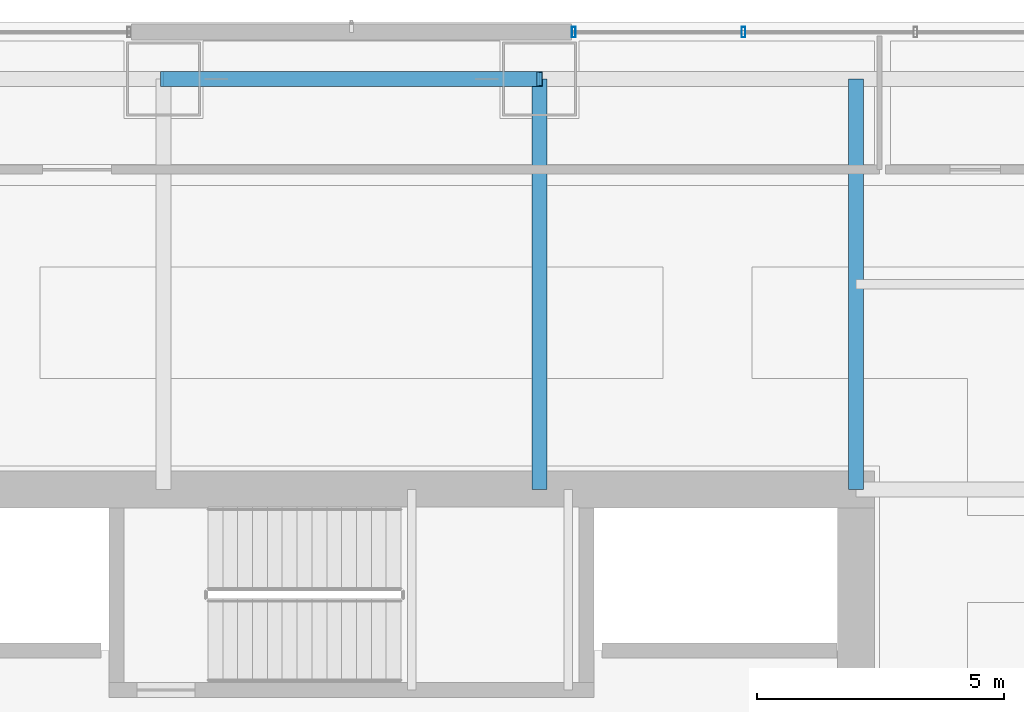
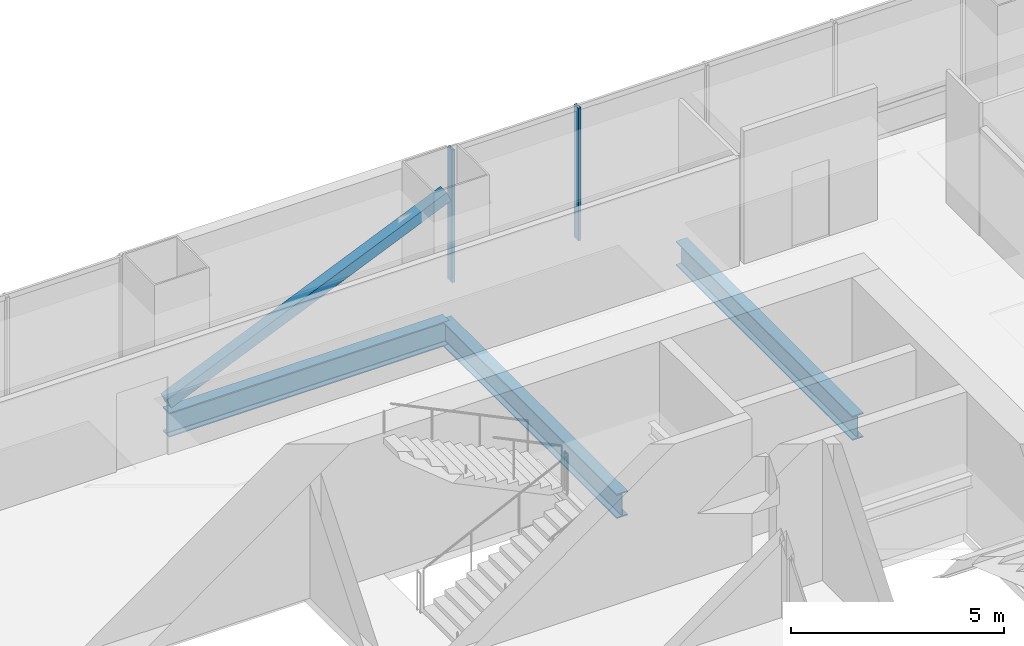
# One storey, part 19 of 40: 3 beams, 3 members, 1 element without a shape of its own.
"""IFC4 building model written with IfcOpenShell, lengths in metres."""

from ifc_helpers import new_model, si_unit, direction, frame, origin, origin_2d, place, context, subcontext, project, spatial, hollow_rectangle, i_section, extrude, material, material_profile, profile_set, type_object, element, aggregate, save


model = new_model("IFC4")

# Units and contexts
model_context = context("Model", 3, precision=1e-05, world=origin(), true_north=direction((0.0, 1.0)))
body_context = subcontext(model_context, "Body", "Model", "MODEL_VIEW")
ifc_project = project(units=[si_unit("LENGTHUNIT", "METRE"), si_unit("AREAUNIT", "SQUARE_METRE"), si_unit("VOLUMEUNIT", "CUBIC_METRE"), si_unit("PLANEANGLEUNIT", "RADIAN"), si_unit("MASSUNIT", "GRAM", prefix="KILO")], contexts=[model_context])

# Site, building, storey
site_placement = place(None, origin())
site = spatial("IfcSite", under=ifc_project, at=site_placement, CompositionType="ELEMENT")
building_placement = place(site_placement, origin())
building = spatial("IfcBuilding", under=site, at=building_placement, Name="Punatoya Terracotta Tower", CompositionType="ELEMENT")
storey_placement = place(building_placement, frame((0.0, 0.0, 76.800048828125)))
storey = spatial("IfcBuildingStorey", under=building, at=storey_placement, Name="L17", CompositionType="ELEMENT", Elevation=76.800048828125)

# Beams
ifc_material_1 = material(Name="Steel S355", Category="steel")
ifc_material_profile_1 = material_profile(ifc_material_1, i_section(OverallWidth=0.300048828125, OverallDepth=0.699951171875, WebThickness=0.01708984375, FlangeThickness=0.031982421875, FilletRadius=0.01806640625, at=origin_2d()))
ifc_profile_set_1 = profile_set([ifc_material_profile_1], Name="Steel S355")
beam_type = type_object("IfcBeamType", Name="BM-PRI-700", PredefinedType="BEAM", material=ifc_profile_set_1)
beam_placement = place(storey_placement, frame((-3.800048828125, 17.5, -0.590087890625), z_axis=(1.0, 0.0, 0.0), x_axis=(0.0, 1.0, 0.0)))
element("IfcBeam", 1, at=beam_placement, inside=storey, type_object=beam_type, Name="BM-L17-RG-N2", PredefinedType="BEAM", context=body_context, shape_type="SweptSolid", body=[
    extrude(i_section(OverallWidth=0.300048828125, OverallDepth=0.699951171875, WebThickness=0.01708984375, FlangeThickness=0.031982421875, FilletRadius=0.01806640625, at=origin_2d()), origin(), (0.0, 0.0, 1.0), 7.60009765625),
])
for number, where, z_axis, x_axis, name in (
    (2, (3.800048828125, 9.199951171875, -0.590087890625), (0.0, 1.0, 0.0), (-1.0, 0.0, 0.0), "BM-L17-PR-N3"),
    (3, (10.199951171875, 9.199951171875, -0.590087890625), (0.0, 1.0, 0.0), (-1.0, 0.0, 0.0), "BM-L17-PR-N4"),
):
    element("IfcBeam", number, at=place(storey_placement, frame(where, z_axis=z_axis, x_axis=x_axis)), inside=storey, type_object=beam_type, Name=name, PredefinedType="BEAM", context=body_context, shape_type="SweptSolid", body=[
        extrude(i_section(OverallWidth=0.300048828125, OverallDepth=0.699951171875, WebThickness=0.01708984375, FlangeThickness=0.031982421875, FilletRadius=0.01806640625, at=origin_2d()), origin(), (0.0, 0.0, 1.0), 8.300048828125),
    ])

# Curtain wall, members
ifc_material_2 = material(Name="Aluminium 6063-T6 + Double Low-E Glass", Category="aluminium")
curtain_wall_type = type_object("IfcCurtainWallType", Name="CW-M1", PredefinedType="NOTDEFINED", material=ifc_material_2)
curtain_wall_placement = place(storey_placement, origin())
curtain_wall = element("IfcCurtainWall", 4, at=curtain_wall_placement, inside=storey, type_object=curtain_wall_type, Name="L17 Curtain Wall CW-L17-N09-1", PredefinedType="NOTDEFINED")
ifc_material_3 = material(Name="Aluminium 6063-T6", Category="aluminium")
ifc_material_profile_2 = material_profile(ifc_material_3, hollow_rectangle(XDim=0.074951171875, YDim=0.2099609375, WallThickness=0.00439453125, at=origin_2d()))
ifc_profile_set_2 = profile_set([ifc_material_profile_2], Name="Aluminium 6063-T6")
member_type_1 = type_object("IfcMemberType", Name="CW-MUL-M1", PredefinedType="MULLION", material=ifc_profile_set_2)
member_1_placement = place(storey_placement, frame((7.927490234375, 18.449951171875, 0.0), z_axis=(0.0, 0.0, 1.0), x_axis=(1.0, 0.0, 0.0)))
member_1 = element("IfcMember", 5, at=member_1_placement, type_object=member_type_1, Name="CW-L17-N09-1 Mullion 04", PredefinedType="MULLION", context=body_context, shape_type="SweptSolid", body=[
    extrude(hollow_rectangle(XDim=0.074951171875, YDim=0.2099609375, WallThickness=0.00439453125, at=origin_2d()), origin(), (0.0, 0.0, 1.0), 3.81005859375),
])
member_2_placement = place(storey_placement, frame((4.4951171875, 18.449951171875, 0.0), z_axis=(0.0, 0.0, 1.0), x_axis=(1.0, 0.0, 0.0)))
member_2 = element("IfcMember", 6, at=member_2_placement, type_object=member_type_1, Name="CW-L17-N09-1 Mullion 05", PredefinedType="MULLION", context=body_context, shape_type="SweptSolid", body=[
    extrude(hollow_rectangle(XDim=0.074951171875, YDim=0.2099609375, WallThickness=0.00439453125, at=origin_2d()), origin(), (0.0, 0.0, 1.0), 3.81005859375),
])
aggregate(curtain_wall, [member_1, member_2])

# Member
ifc_material_profile_3 = material_profile(ifc_material_1, hollow_rectangle(XDim=0.300048828125, YDim=0.300048828125, WallThickness=0.01611328125, at=origin_2d()))
ifc_profile_set_3 = profile_set([ifc_material_profile_3], Name="Steel S355")
member_type_2 = type_object("IfcMemberType", Name="MEM-WND-300", PredefinedType="BRACE", material=ifc_profile_set_3)
member_3_placement = place(storey_placement, frame((-3.800048828125, 17.5, 0.02001953125), z_axis=(0.917702547379, 0.0, 0.397268214856), x_axis=(0.0, 1.0, 0.0)))
element("IfcMember", 7, at=member_3_placement, inside=storey, type_object=member_type_2, Name="L17 Perimeter Wind Brace N2", PredefinedType="BRACE", context=body_context, shape_type="SweptSolid", body=[
    extrude(hollow_rectangle(XDim=0.300048828125, YDim=0.300048828125, WallThickness=0.01611328125, at=origin_2d()), origin(), (0.0, 0.0, 1.0), 8.28173828125),
])

save(model, "model.ifc")
